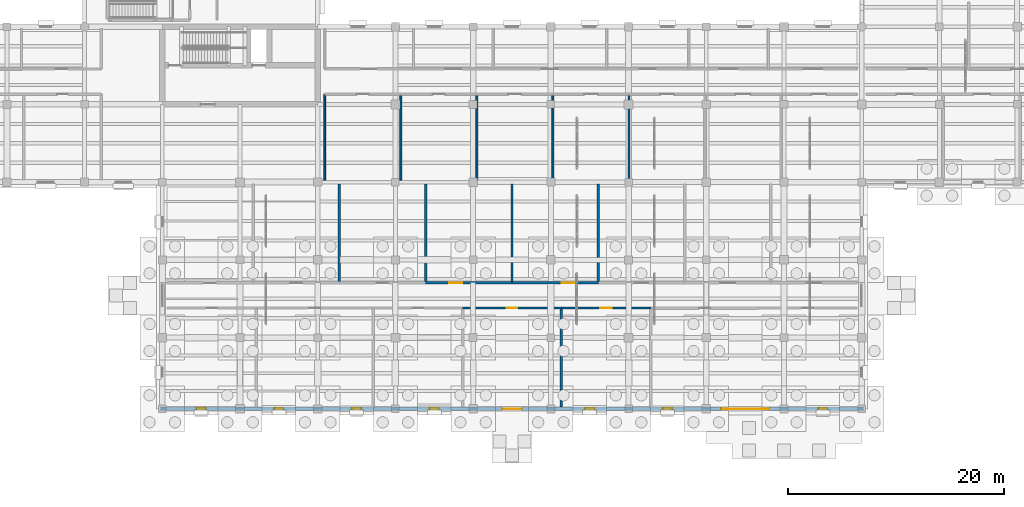
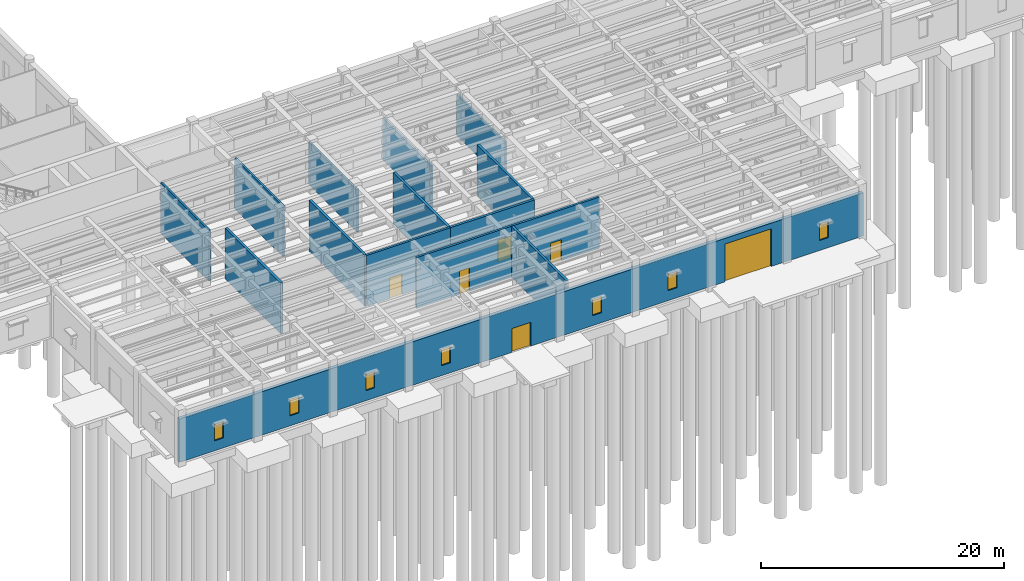
# One storey, part 71 of 100: 15 walls, 7 windows, 6 doors, 13 openings.
"""IFC4 building model written with IfcOpenShell, lengths in metres."""

from ifc_helpers import new_model, si_unit, direction, frame, frame_2d, origin, place, context, subcontext, project, spatial, rectangle, extrude, material, layer, layer_set, type_object, element, fill, save


model = new_model("IFC4")

# Units and contexts
model_context = context("Model", 3, precision=1e-05, world=origin(), true_north=direction((0.0, 1.0)))
body_context = subcontext(model_context, "Body", "Model", "MODEL_VIEW")
ifc_project = project(units=[si_unit("LENGTHUNIT", "METRE"), si_unit("AREAUNIT", "SQUARE_METRE"), si_unit("VOLUMEUNIT", "CUBIC_METRE"), si_unit("PLANEANGLEUNIT", "RADIAN"), si_unit("MASSUNIT", "GRAM", prefix="KILO")], contexts=[model_context])

# Site, building, storey
site_placement = place(None, origin())
site = spatial("IfcSite", under=ifc_project, at=site_placement, CompositionType="ELEMENT")
building_placement = place(site_placement, origin())
building = spatial("IfcBuilding", under=site, at=building_placement, Name="Mithqara Police Headquarters", CompositionType="ELEMENT")
storey_placement = place(building_placement, origin())
storey = spatial("IfcBuildingStorey", under=building, at=storey_placement, Name="L00", CompositionType="ELEMENT", Elevation=0.0)

# Wall, openings, doors, windows
ifc_material_1 = material(Name="Limestone ashlar masonry, 45 MPa", Category="masonry")
ifc_layer_1 = layer(ifc_material_1, 0.320068359375, Name="Limestone ashlar masonry, 45 MPa")
ifc_layer_set_1 = layer_set([ifc_layer_1], Name="Limestone ashlar masonry, 45 MPa")
wall_type_1 = type_object("IfcWallType", Name="EXT WALL LIMESTONE320", PredefinedType="SOLIDWALL", material=ifc_layer_set_1)
wall_1_placement = place(storey_placement, frame((79.639892578125, 0.0, 0.0), z_axis=(0.0, 0.0, 1.0), x_axis=(1.0, 0.0, 0.0)))
wall_1 = element("IfcWall", 1, at=wall_1_placement, inside=storey, type_object=wall_type_1, Name="L00 Exterior Wall 2.1", PredefinedType="SOLIDWALL", context=body_context, shape_type="SweptSolid", body=[
    extrude(rectangle(XDim=65.1201171875, YDim=0.320068359375, at=frame_2d((32.56005859375, 0.0))), origin(), (0.0, 0.0, 1.0), 4.3701171875),
])
opening_1_placement = place(wall_1_placement, frame((51.9599609375, 0.0, 0.0)))
opening_1 = element("IfcOpeningElement", 2, at=opening_1_placement, cuts=wall_1, Name="Opening VG-02", PredefinedType="OPENING", context=body_context, shape_type="SweptSolid", body=[
    extrude(rectangle(XDim=4.39990234375, YDim=3.800048828125, at=frame_2d((2.199951171875, 1.89990234375))), frame((0.0, 0.169921875, 0.0), z_axis=(0.0, -1.0, 0.0), x_axis=(1.0, 0.0, 0.0)), (0.0, 0.0, 1.0), 0.340087890625),
])
opening_2_placement = place(wall_1_placement, frame((31.659912109375, 0.0, 0.0)))
opening_2 = element("IfcOpeningElement", 3, at=opening_2_placement, cuts=wall_1, Name="Opening ED-03", PredefinedType="OPENING", context=body_context, shape_type="SweptSolid", body=[
    extrude(rectangle(XDim=1.800048828125, YDim=2.39990234375, at=frame_2d((0.89990234375, 1.199951171875))), frame((0.0, 0.169921875, 0.0), z_axis=(0.0, -1.0, 0.0), x_axis=(1.0, 0.0, 0.0)), (0.0, 0.0, 1.0), 0.340087890625),
])
opening_3_placement = place(wall_1_placement, frame((3.3349609375, 0.0, 1.0)))
opening_3 = element("IfcOpeningElement", 4, at=opening_3_placement, cuts=wall_1, Name="Opening W-02", PredefinedType="OPENING", context=body_context, shape_type="SweptSolid", body=[
    extrude(rectangle(XDim=0.85009765625, YDim=1.64990234375, at=frame_2d((0.425048828125, 0.824951171875))), frame((0.0, 0.169921875, 0.0), z_axis=(0.0, -1.0, 0.0), x_axis=(1.0, 0.0, 0.0)), (0.0, 0.0, 1.0), 0.340087890625),
])
opening_4_placement = place(wall_1_placement, frame((10.534912109375, 0.0, 1.0)))
opening_4 = element("IfcOpeningElement", 5, at=opening_4_placement, cuts=wall_1, Name="Opening W-02", PredefinedType="OPENING", context=body_context, shape_type="SweptSolid", body=[
    extrude(rectangle(XDim=0.85009765625, YDim=1.64990234375, at=frame_2d((0.425048828125, 0.824951171875))), frame((0.0, 0.169921875, 0.0), z_axis=(0.0, -1.0, 0.0), x_axis=(1.0, 0.0, 0.0)), (0.0, 0.0, 1.0), 0.340087890625),
])
opening_5_placement = place(wall_1_placement, frame((17.735107421875, 0.0, 1.0)))
opening_5 = element("IfcOpeningElement", 6, at=opening_5_placement, cuts=wall_1, Name="Opening W-02", PredefinedType="OPENING", context=body_context, shape_type="SweptSolid", body=[
    extrude(rectangle(XDim=0.85009765625, YDim=1.64990234375, at=frame_2d((0.425048828125, 0.824951171875))), frame((0.0, 0.169921875, 0.0), z_axis=(0.0, -1.0, 0.0), x_axis=(1.0, 0.0, 0.0)), (0.0, 0.0, 1.0), 0.340087890625),
])
opening_6_placement = place(wall_1_placement, frame((24.93505859375, 0.0, 1.0)))
opening_6 = element("IfcOpeningElement", 7, at=opening_6_placement, cuts=wall_1, Name="Opening W-02", PredefinedType="OPENING", context=body_context, shape_type="SweptSolid", body=[
    extrude(rectangle(XDim=0.85009765625, YDim=1.64990234375, at=frame_2d((0.425048828125, 0.824951171875))), frame((0.0, 0.169921875, 0.0), z_axis=(0.0, -1.0, 0.0), x_axis=(1.0, 0.0, 0.0)), (0.0, 0.0, 1.0), 0.340087890625),
])
opening_7_placement = place(wall_1_placement, frame((39.3349609375, 0.0, 1.0)))
opening_7 = element("IfcOpeningElement", 8, at=opening_7_placement, cuts=wall_1, Name="Opening W-02", PredefinedType="OPENING", context=body_context, shape_type="SweptSolid", body=[
    extrude(rectangle(XDim=0.85009765625, YDim=1.64990234375, at=frame_2d((0.425048828125, 0.824951171875))), frame((0.0, 0.169921875, 0.0), z_axis=(0.0, -1.0, 0.0), x_axis=(1.0, 0.0, 0.0)), (0.0, 0.0, 1.0), 0.340087890625),
])
opening_8_placement = place(wall_1_placement, frame((46.534912109375, 0.0, 1.0)))
opening_8 = element("IfcOpeningElement", 9, at=opening_8_placement, cuts=wall_1, Name="Opening W-02", PredefinedType="OPENING", context=body_context, shape_type="SweptSolid", body=[
    extrude(rectangle(XDim=0.85009765625, YDim=1.64990234375, at=frame_2d((0.425048828125, 0.824951171875))), frame((0.0, 0.169921875, 0.0), z_axis=(0.0, -1.0, 0.0), x_axis=(1.0, 0.0, 0.0)), (0.0, 0.0, 1.0), 0.340087890625),
])
opening_9_placement = place(wall_1_placement, frame((60.93505859375, 0.0, 1.0)))
opening_9 = element("IfcOpeningElement", 10, at=opening_9_placement, cuts=wall_1, Name="Opening W-02", PredefinedType="OPENING", context=body_context, shape_type="SweptSolid", body=[
    extrude(rectangle(XDim=0.85009765625, YDim=1.64990234375, at=frame_2d((0.425048828125, 0.824951171875))), frame((0.0, 0.169921875, 0.0), z_axis=(0.0, -1.0, 0.0), x_axis=(1.0, 0.0, 0.0)), (0.0, 0.0, 1.0), 0.340087890625),
])
ifc_material_2 = material(Name="Bronze anodised aluminium 6063-T6", Category="aluminium")
door_type_1 = type_object("IfcDoorType", Name="EXT DOOR EXIT 1800X2400", OperationType="DOUBLE_DOOR_SINGLE_SWING", PredefinedType="DOOR", material=ifc_material_2)
door_1_placement = place(opening_2_placement, frame((1.800048828125, 0.0, 0.0), z_axis=(0.0, 0.0, 1.0), x_axis=(-1.0, 0.0, 0.0)))
door_1 = element("IfcDoor", 11, at=door_1_placement, inside=storey, type_object=door_type_1, Name="Ground Floor Final Exit Door 2", OperationType="DOUBLE_DOOR_SINGLE_SWING", OverallHeight=2.39990234375, OverallWidth=1.800048828125, PredefinedType="DOOR", context=body_context, shape_type="SweptSolid", body=[
    extrude(rectangle(XDim=1.800048828125, YDim=2.39990234375, at=frame_2d((0.89990234375, 1.199951171875))), frame((0.0, 0.02490234375, 0.0), z_axis=(0.0, -1.0, 0.0), x_axis=(1.0, 0.0, 0.0)), (0.0, 0.0, 1.0), 0.050048828125),
])
fill(opening_2, door_1)
ifc_material_3 = material(Name="Steel S355JR", Category="steel")
door_type_2 = type_object("IfcDoorType", Name="VEH GATE SALLY 4400X3800", OperationType="ROLLINGUP", PredefinedType="GATE", material=ifc_material_3)
door_2_placement = place(opening_1_placement, frame((4.39990234375, 0.0, 0.0), z_axis=(0.0, 0.0, 1.0), x_axis=(-1.0, 0.0, 0.0)))
door_2 = element("IfcDoor", 12, at=door_2_placement, inside=storey, type_object=door_type_2, Name="VG-02 Custody Sally-Port Security Gate", OperationType="ROLLINGUP", OverallHeight=3.800048828125, OverallWidth=4.39990234375, PredefinedType="GATE", context=body_context, shape_type="SweptSolid", body=[
    extrude(rectangle(XDim=4.39990234375, YDim=3.800048828125, at=frame_2d((2.199951171875, 1.89990234375))), frame((0.0, 0.02490234375, 0.0), z_axis=(0.0, -1.0, 0.0), x_axis=(1.0, 0.0, 0.0)), (0.0, 0.0, 1.0), 0.050048828125),
])
fill(opening_1, door_2)
ifc_material_4 = material(Name="Spectrally selective double low-e glass", Category="glass")
window_type = type_object("IfcWindowType", Name="WINDOW 850X1650", PartitioningType="SINGLE_PANEL", PredefinedType="WINDOW", material=ifc_material_4)
window_1_placement = place(opening_3_placement, origin())
window_1 = element("IfcWindow", 13, at=window_1_placement, inside=storey, type_object=window_type, Name="L00 Deep-Set Punched Window 2.1", OverallHeight=1.64990234375, OverallWidth=0.85009765625, PartitioningType="SINGLE_PANEL", PredefinedType="WINDOW", context=body_context, shape_type="SweptSolid", body=[
    extrude(rectangle(XDim=0.85009765625, YDim=1.64990234375, at=frame_2d((0.425048828125, 0.824951171875))), frame((0.0, 0.030029296875, 0.0), z_axis=(0.0, -1.0, 0.0), x_axis=(1.0, 0.0, 0.0)), (0.0, 0.0, 1.0), 0.06005859375),
])
fill(opening_3, window_1)
window_2_placement = place(opening_4_placement, origin())
window_2 = element("IfcWindow", 14, at=window_2_placement, inside=storey, type_object=window_type, Name="L00 Deep-Set Punched Window 2.2", OverallHeight=1.64990234375, OverallWidth=0.85009765625, PartitioningType="SINGLE_PANEL", PredefinedType="WINDOW", context=body_context, shape_type="SweptSolid", body=[
    extrude(rectangle(XDim=0.85009765625, YDim=1.64990234375, at=frame_2d((0.425048828125, 0.824951171875))), frame((0.0, 0.030029296875, 0.0), z_axis=(0.0, -1.0, 0.0), x_axis=(1.0, 0.0, 0.0)), (0.0, 0.0, 1.0), 0.06005859375),
])
fill(opening_4, window_2)
window_3_placement = place(opening_5_placement, origin())
window_3 = element("IfcWindow", 15, at=window_3_placement, inside=storey, type_object=window_type, Name="L00 Deep-Set Punched Window 2.3", OverallHeight=1.64990234375, OverallWidth=0.85009765625, PartitioningType="SINGLE_PANEL", PredefinedType="WINDOW", context=body_context, shape_type="SweptSolid", body=[
    extrude(rectangle(XDim=0.85009765625, YDim=1.64990234375, at=frame_2d((0.425048828125, 0.824951171875))), frame((0.0, 0.030029296875, 0.0), z_axis=(0.0, -1.0, 0.0), x_axis=(1.0, 0.0, 0.0)), (0.0, 0.0, 1.0), 0.06005859375),
])
fill(opening_5, window_3)
window_4_placement = place(opening_6_placement, origin())
window_4 = element("IfcWindow", 16, at=window_4_placement, inside=storey, type_object=window_type, Name="L00 Deep-Set Punched Window 2.4", OverallHeight=1.64990234375, OverallWidth=0.85009765625, PartitioningType="SINGLE_PANEL", PredefinedType="WINDOW", context=body_context, shape_type="SweptSolid", body=[
    extrude(rectangle(XDim=0.85009765625, YDim=1.64990234375, at=frame_2d((0.425048828125, 0.824951171875))), frame((0.0, 0.030029296875, 0.0), z_axis=(0.0, -1.0, 0.0), x_axis=(1.0, 0.0, 0.0)), (0.0, 0.0, 1.0), 0.06005859375),
])
fill(opening_6, window_4)
window_5_placement = place(opening_7_placement, origin())
window_5 = element("IfcWindow", 17, at=window_5_placement, inside=storey, type_object=window_type, Name="L00 Deep-Set Punched Window 2.6", OverallHeight=1.64990234375, OverallWidth=0.85009765625, PartitioningType="SINGLE_PANEL", PredefinedType="WINDOW", context=body_context, shape_type="SweptSolid", body=[
    extrude(rectangle(XDim=0.85009765625, YDim=1.64990234375, at=frame_2d((0.425048828125, 0.824951171875))), frame((0.0, 0.030029296875, 0.0), z_axis=(0.0, -1.0, 0.0), x_axis=(1.0, 0.0, 0.0)), (0.0, 0.0, 1.0), 0.06005859375),
])
fill(opening_7, window_5)
window_6_placement = place(opening_8_placement, origin())
window_6 = element("IfcWindow", 18, at=window_6_placement, inside=storey, type_object=window_type, Name="L00 Deep-Set Punched Window 2.7", OverallHeight=1.64990234375, OverallWidth=0.85009765625, PartitioningType="SINGLE_PANEL", PredefinedType="WINDOW", context=body_context, shape_type="SweptSolid", body=[
    extrude(rectangle(XDim=0.85009765625, YDim=1.64990234375, at=frame_2d((0.425048828125, 0.824951171875))), frame((0.0, 0.030029296875, 0.0), z_axis=(0.0, -1.0, 0.0), x_axis=(1.0, 0.0, 0.0)), (0.0, 0.0, 1.0), 0.06005859375),
])
fill(opening_8, window_6)
window_7_placement = place(opening_9_placement, origin())
window_7 = element("IfcWindow", 19, at=window_7_placement, inside=storey, type_object=window_type, Name="L00 Deep-Set Punched Window 2.9", OverallHeight=1.64990234375, OverallWidth=0.85009765625, PartitioningType="SINGLE_PANEL", PredefinedType="WINDOW", context=body_context, shape_type="SweptSolid", body=[
    extrude(rectangle(XDim=0.85009765625, YDim=1.64990234375, at=frame_2d((0.425048828125, 0.824951171875))), frame((0.0, 0.030029296875, 0.0), z_axis=(0.0, -1.0, 0.0), x_axis=(1.0, 0.0, 0.0)), (0.0, 0.0, 1.0), 0.06005859375),
])
fill(opening_9, window_7)

# Walls
ifc_material_5 = material(Name="Concrete C40/50", Category="concrete")
ifc_layer_2 = layer(ifc_material_5, 0.179931640625, Name="Concrete C40/50")
ifc_layer_set_2 = layer_set([ifc_layer_2], Name="Concrete C40/50")
wall_type_2 = type_object("IfcWallType", Name="PART WALL 180", PredefinedType="PARTITIONING", material=ifc_layer_set_2)
for number, where, z_axis, x_axis, name in (
    (20, (94.85009765625, 21.179931640625, 0.0), (0.0, 0.0, 1.0), (0.0, 1.0, 0.0), "L00 Partition End Closure E0"),
    (21, (101.89697265625, 21.179931640625, 0.0), (0.0, 0.0, 1.0), (0.0, 1.0, 0.0), "L00 Room Partition Lost and Found Counter"),
):
    element("IfcWall", number, at=place(storey_placement, frame(where, z_axis=z_axis, x_axis=x_axis)), inside=storey, type_object=wall_type_2, Name=name, PredefinedType="PARTITIONING", context=body_context, shape_type="SweptSolid", body=[
        extrude(rectangle(XDim=7.969970703125, YDim=0.179931640625, at=frame_2d((3.98486328125, 0.0))), origin(), (0.0, 0.0, 1.0), 5.1201171875),
    ])
wall_2_placement = place(storey_placement, frame((108.944091796875, 21.179931640625, 0.0), z_axis=(0.0, 0.0, 1.0), x_axis=(0.0, 1.0, 0.0)))
element("IfcWall", 22, at=wall_2_placement, inside=storey, type_object=wall_type_2, Name="L00 Room Partition Victim Support Consultation Room", PredefinedType="PARTITIONING", context=body_context, shape_type="SweptSolid", body=[
    extrude(rectangle(XDim=7.969970703125, YDim=0.179931640625, at=frame_2d((3.98486328125, 0.0))), origin(), (0.0, 0.0, 1.0), 4.27001953125),
])
wall_3_placement = place(storey_placement, frame((115.990966796875, 21.179931640625, 0.0), z_axis=(0.0, 0.0, 1.0), x_axis=(0.0, 1.0, 0.0)))
element("IfcWall", 23, at=wall_3_placement, inside=storey, type_object=wall_type_2, Name="L00 Room Partition Witness Reception Room", PredefinedType="PARTITIONING", context=body_context, shape_type="SweptSolid", body=[
    extrude(rectangle(XDim=7.969970703125, YDim=0.179931640625, at=frame_2d((3.98486328125, 0.0))), origin(), (0.0, 0.0, 1.0), 4.219970703125),
])
wall_4_placement = place(storey_placement, frame((123.0390625, 21.179931640625, 0.0), z_axis=(0.0, 0.0, 1.0), x_axis=(0.0, 1.0, 0.0)))
element("IfcWall", 24, at=wall_4_placement, inside=storey, type_object=wall_type_2, Name="L00 Room Partition Lost and Found Counter", PredefinedType="PARTITIONING", context=body_context, shape_type="SweptSolid", body=[
    extrude(rectangle(XDim=7.969970703125, YDim=0.179931640625, at=frame_2d((3.98486328125, 0.0))), origin(), (0.0, 0.0, 1.0), 4.1201171875),
])

# Wall, opening, door
ifc_layer_3 = layer(ifc_material_5, 0.2099609375, Name="Concrete C40/50")
ifc_layer_set_3 = layer_set([ifc_layer_3], Name="Concrete C40/50")
wall_type_3 = type_object("IfcWallType", Name="PART WALL 210", PredefinedType="PARTITIONING", material=ifc_layer_set_3)
wall_5_placement = place(storey_placement, frame((107.631103515625, 9.330078125, 0.0), z_axis=(0.0, 0.0, 1.0), x_axis=(1.0, 0.0, 0.0)))
wall_5 = element("IfcWall", 25, at=wall_5_placement, inside=storey, type_object=wall_type_3, Name="L00 Corridor Wall Custody Medical Room", PredefinedType="PARTITIONING", context=body_context, shape_type="SweptSolid", body=[
    extrude(rectangle(XDim=9.137939453125, YDim=0.2099609375, at=frame_2d((4.56884765625, 0.0))), origin(), (0.0, 0.0, 1.0), 5.1201171875),
])
opening_10_placement = place(wall_5_placement, frame((4.0791015625, 0.0, 0.0)))
opening_10 = element("IfcOpeningElement", 26, at=opening_10_placement, cuts=wall_5, Name="Opening D-06", PredefinedType="OPENING", context=body_context, shape_type="SweptSolid", body=[
    extrude(rectangle(XDim=0.97998046875, YDim=2.35009765625, at=frame_2d((0.489990234375, 1.175048828125))), frame((0.0, 0.114990234375, 0.0), z_axis=(0.0, -1.0, 0.0), x_axis=(1.0, 0.0, 0.0)), (0.0, 0.0, 1.0), 0.22998046875),
])
ifc_material_6 = material(Name="Acoustic solid-core timber leaf", Category="wood")
door_type_3 = type_object("IfcDoorType", Name="INT DOOR 980X2350", OperationType="NOTDEFINED", PredefinedType="DOOR", material=ifc_material_6)
door_3_placement = place(opening_10_placement, frame((0.97998046875, 0.0, 0.0), z_axis=(0.0, 0.0, 1.0), x_axis=(-1.0, 0.0, 0.0)))
door_3 = element("IfcDoor", 27, at=door_3_placement, inside=storey, type_object=door_type_3, Name="Custody Medical Room Entry Door", OperationType="SINGLE_SWING_LEFT", OverallHeight=2.35009765625, OverallWidth=0.97998046875, PredefinedType="DOOR", context=body_context, shape_type="SweptSolid", body=[
    extrude(rectangle(XDim=0.97998046875, YDim=2.35009765625, at=frame_2d((0.489990234375, 1.175048828125))), frame((0.0, 0.02490234375, 0.0), z_axis=(0.0, -1.0, 0.0), x_axis=(1.0, 0.0, 0.0)), (0.0, 0.0, 1.0), 0.050048828125),
])
fill(opening_10, door_3)

wall_6_placement = place(storey_placement, frame((116.76904296875, 9.330078125, 0.0), z_axis=(0.0, 0.0, 1.0), x_axis=(1.0, 0.0, 0.0)))
wall_6 = element("IfcWall", 28, at=wall_6_placement, inside=storey, type_object=wall_type_3, Name="L00 Corridor Wall Custody Property Intake", PredefinedType="PARTITIONING", context=body_context, shape_type="SweptSolid", body=[
    extrude(rectangle(XDim=8.286865234375, YDim=0.2099609375, at=frame_2d((4.1435546875, 0.0))), origin(), (0.0, 0.0, 1.0), 5.1201171875),
])
opening_11_placement = place(wall_6_placement, frame((3.62353515625, 0.0, 0.0)))
opening_11 = element("IfcOpeningElement", 29, at=opening_11_placement, cuts=wall_6, Name="Opening D-07", PredefinedType="OPENING", context=body_context, shape_type="SweptSolid", body=[
    extrude(rectangle(XDim=1.0400390625, YDim=2.10009765625, at=frame_2d((0.52001953125, 1.050048828125))), frame((0.0, 0.114990234375, 0.0), z_axis=(0.0, -1.0, 0.0), x_axis=(1.0, 0.0, 0.0)), (0.0, 0.0, 1.0), 0.22998046875),
])
door_type_4 = type_object("IfcDoorType", Name="INT DOOR 1040X2100", OperationType="NOTDEFINED", PredefinedType="DOOR", material=ifc_material_6)
door_4_placement = place(opening_11_placement, frame((1.0400390625, 0.0, 0.0), z_axis=(0.0, 0.0, 1.0), x_axis=(-1.0, 0.0, 0.0)))
door_4 = element("IfcDoor", 30, at=door_4_placement, inside=storey, type_object=door_type_4, Name="Custody Property Intake Entry Door", OperationType="SINGLE_SWING_RIGHT", OverallHeight=2.10009765625, OverallWidth=1.0400390625, PredefinedType="DOOR", context=body_context, shape_type="SweptSolid", body=[
    extrude(rectangle(XDim=1.0400390625, YDim=2.10009765625, at=frame_2d((0.52001953125, 1.050048828125))), frame((0.0, 0.02490234375, 0.0), z_axis=(0.0, -1.0, 0.0), x_axis=(1.0, 0.0, 0.0)), (0.0, 0.0, 1.0), 0.050048828125),
])
fill(opening_11, door_4)

wall_7_placement = place(storey_placement, frame((104.205078125, 11.669921875, 0.0), z_axis=(0.0, 0.0, 1.0), x_axis=(1.0, 0.0, 0.0)))
wall_7 = element("IfcWall", 31, at=wall_7_placement, inside=storey, type_object=wall_type_3, Name="L00 Corridor Wall Custody Property Intake", PredefinedType="PARTITIONING", context=body_context, shape_type="SweptSolid", body=[
    extrude(rectangle(XDim=7.994873046875, YDim=0.2099609375, at=frame_2d((3.99755859375, 0.0))), origin(), (0.0, 0.0, 1.0), 5.1201171875),
])
opening_12_placement = place(wall_7_placement, frame((2.188232421875, 0.0, 0.0)))
opening_12 = element("IfcOpeningElement", 32, at=opening_12_placement, cuts=wall_7, Name="Opening D-13", PredefinedType="OPENING", context=body_context, shape_type="SweptSolid", body=[
    extrude(rectangle(XDim=1.219970703125, YDim=2.10009765625, at=frame_2d((0.60986328125, 1.050048828125))), frame((0.0, 0.114990234375, 0.0), z_axis=(0.0, -1.0, 0.0), x_axis=(1.0, 0.0, 0.0)), (0.0, 0.0, 1.0), 0.22998046875),
])
door_type_5 = type_object("IfcDoorType", Name="INT DOOR 1220X2100", OperationType="NOTDEFINED", PredefinedType="DOOR", material=ifc_material_6)
door_5_placement = place(opening_12_placement, origin())
door_5 = element("IfcDoor", 33, at=door_5_placement, inside=storey, type_object=door_type_5, Name="Custody Property Intake Entry Door", OperationType="SINGLE_SWING_RIGHT", OverallHeight=2.10009765625, OverallWidth=1.219970703125, PredefinedType="DOOR", context=body_context, shape_type="SweptSolid", body=[
    extrude(rectangle(XDim=1.219970703125, YDim=2.10009765625, at=frame_2d((0.60986328125, 1.050048828125))), frame((0.0, 0.02490234375, 0.0), z_axis=(0.0, -1.0, 0.0), x_axis=(1.0, 0.0, 0.0)), (0.0, 0.0, 1.0), 0.050048828125),
])
fill(opening_12, door_5)

# Walls
ifc_layer_4 = layer(ifc_material_5, 0.22998046875, Name="Concrete C40/50")
ifc_layer_set_4 = layer_set([ifc_layer_4], Name="Concrete C40/50")
wall_type_4 = type_object("IfcWallType", Name="PART WALL 230", PredefinedType="PARTITIONING", material=ifc_layer_set_4)
for number, where, z_axis, x_axis, name in (
    (34, (116.76904296875, 0.179931640625, 0.0), (0.0, 0.0, 1.0), (0.0, 1.0, 0.0), "L00 Room Partition Custody Medical Room"),
    (35, (96.2099609375, 11.669921875, 0.0), (0.0, 0.0, 1.0), (0.0, 1.0, 0.0), "L00 Room Partition Custody Booking Desk"),
    (36, (104.205078125, 11.669921875, 0.0), (0.0, 0.0, 1.0), (0.0, 1.0, 0.0), "L00 Room Partition Custody Medical Room"),
    (37, (112.199951171875, 11.669921875, 0.0), (0.0, 0.0, 1.0), (0.0, 1.0, 0.0), "L00 Room Partition Custody Property Intake"),
):
    element("IfcWall", number, at=place(storey_placement, frame(where, z_axis=z_axis, x_axis=x_axis)), inside=storey, type_object=wall_type_4, Name=name, PredefinedType="PARTITIONING", context=body_context, shape_type="SweptSolid", body=[
        extrude(rectangle(XDim=9.150146484375, YDim=0.22998046875, at=frame_2d((4.5751953125, 0.0))), origin(), (0.0, 0.0, 1.0), 5.1201171875),
    ])

# Wall, opening, door
wall_8_placement = place(storey_placement, frame((112.199951171875, 11.669921875, 0.0), z_axis=(0.0, 0.0, 1.0), x_axis=(1.0, 0.0, 0.0)))
wall_8 = element("IfcWall", 38, at=wall_8_placement, inside=storey, type_object=wall_type_4, Name="L00 Corridor Wall Sally Port Vehicle Dock", PredefinedType="PARTITIONING", context=body_context, shape_type="SweptSolid", body=[
    extrude(rectangle(XDim=7.9951171875, YDim=0.22998046875, at=frame_2d((3.99755859375, 0.0))), origin(), (0.0, 0.0, 1.0), 5.1201171875),
])
opening_13_placement = place(wall_8_placement, frame((4.586669921875, 0.0, 0.0)))
opening_13 = element("IfcOpeningElement", 39, at=opening_13_placement, cuts=wall_8, Name="Opening D-14", PredefinedType="OPENING", context=body_context, shape_type="SweptSolid", body=[
    extrude(rectangle(XDim=1.219970703125, YDim=2.219970703125, at=frame_2d((0.60986328125, 1.10986328125))), frame((0.0, 0.125, 0.0), z_axis=(0.0, -1.0, 0.0), x_axis=(1.0, 0.0, 0.0)), (0.0, 0.0, 1.0), 0.25),
])
door_type_6 = type_object("IfcDoorType", Name="INT DOOR 1220X2220", OperationType="NOTDEFINED", PredefinedType="DOOR", material=ifc_material_6)
door_6_placement = place(opening_13_placement, origin())
door_6 = element("IfcDoor", 40, at=door_6_placement, inside=storey, type_object=door_type_6, Name="Sally Port Vehicle Dock Entry Door", OperationType="SINGLE_SWING_LEFT", OverallHeight=2.219970703125, OverallWidth=1.219970703125, PredefinedType="DOOR", context=body_context, shape_type="SweptSolid", body=[
    extrude(rectangle(XDim=1.219970703125, YDim=2.219970703125, at=frame_2d((0.60986328125, 1.10986328125))), frame((0.0, 0.02490234375, 0.0), z_axis=(0.0, -1.0, 0.0), x_axis=(1.0, 0.0, 0.0)), (0.0, 0.0, 1.0), 0.050048828125),
])
fill(opening_13, door_6)

# Wall
wall_9_placement = place(storey_placement, frame((120.195068359375, 11.669921875, 0.0), z_axis=(0.0, 0.0, 1.0), x_axis=(0.0, 1.0, 0.0)))
element("IfcWall", 41, at=wall_9_placement, inside=storey, type_object=wall_type_4, Name="L00 Room Partition Sally Port Vehicle Dock", PredefinedType="PARTITIONING", context=body_context, shape_type="SweptSolid", body=[
    extrude(rectangle(XDim=9.150146484375, YDim=0.22998046875, at=frame_2d((4.5751953125, 0.0))), origin(), (0.0, 0.0, 1.0), 5.1201171875),
])

save(model, "model.ifc")
